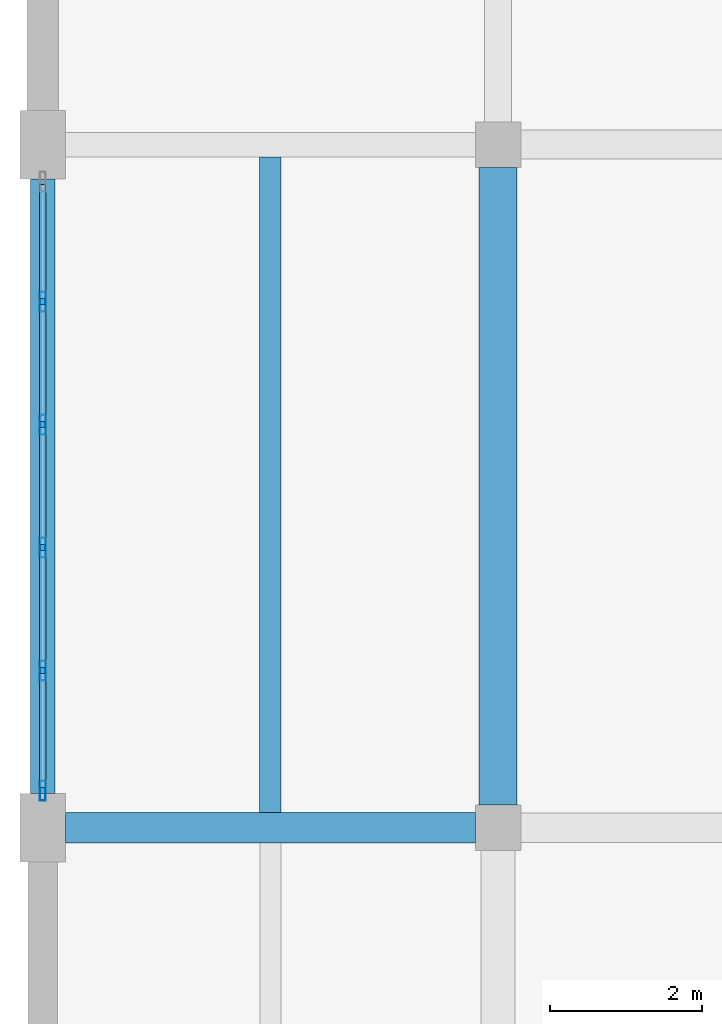
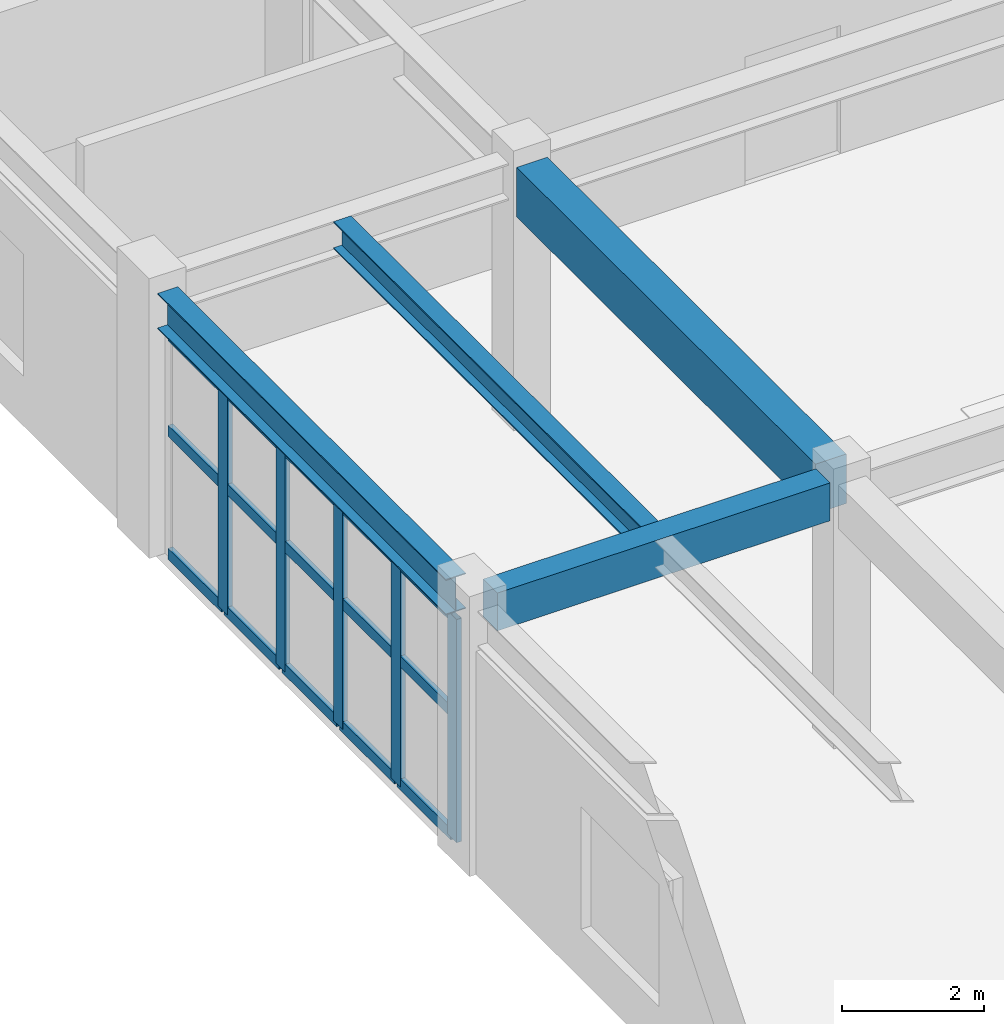
# One storey, part 11 of 80: 20 members, 4 beams, 1 element without a shape of its own.
"""IFC4 building model written with IfcOpenShell, lengths in metres."""

from ifc_helpers import new_model, si_unit, direction, frame, origin, origin_2d, place, context, subcontext, project, spatial, rectangle, hollow_rectangle, i_section, extrude, material, layer, layer_set, material_profile, profile_set, type_object, element, aggregate, save


model = new_model("IFC4")

# Units and contexts
model_context = context("Model", 3, precision=1e-05, world=origin(), true_north=direction((0.0, 1.0)))
body_context = subcontext(model_context, "Body", "Model", "MODEL_VIEW")
ifc_project = project(units=[si_unit("LENGTHUNIT", "METRE"), si_unit("AREAUNIT", "SQUARE_METRE"), si_unit("VOLUMEUNIT", "CUBIC_METRE"), si_unit("PLANEANGLEUNIT", "RADIAN"), si_unit("MASSUNIT", "GRAM", prefix="KILO")], contexts=[model_context])

# Site, building, storey
site_placement = place(None, origin())
site = spatial("IfcSite", under=ifc_project, at=site_placement, CompositionType="ELEMENT")
building_placement = place(site_placement, origin())
building = spatial("IfcBuilding", under=site, at=building_placement, Name="Vaelkrest Opera House", CompositionType="ELEMENT")
storey_placement = place(building_placement, frame((0.0, 0.0, 15.0)))
storey = spatial("IfcBuildingStorey", under=building, at=storey_placement, Name="L03", CompositionType="ELEMENT", Elevation=15.0)

# Beams
ifc_material_1 = material(Name="Concrete C50/60", Category="concrete")
ifc_material_profile_1 = material_profile(ifc_material_1, rectangle(XDim=0.39990234375, YDim=0.64990234375, at=origin_2d()), Name="RCB400X650")
ifc_profile_set_1 = profile_set([ifc_material_profile_1], Name="Concrete C50/60")
beam_type_1 = type_object("IfcBeamType", Name="B01", PredefinedType="BEAM", material=ifc_profile_set_1)
beam_1_placement = place(storey_placement, frame((-75.300048828125, -7.800048828125, 4.179931640625), z_axis=(1.0, 0.0, 0.0), x_axis=(0.0, 1.0, 0.0)))
element("IfcBeam", 1, at=beam_1_placement, inside=storey, type_object=beam_type_1, Name="Beam BM-V3-L03-1741", PredefinedType="BEAM", context=body_context, shape_type="SweptSolid", body=[
    extrude(rectangle(XDim=0.39990234375, YDim=0.64990234375, at=origin_2d()), origin(), (0.0, 0.0, 1.0), 5.400146484375),
])
ifc_material_profile_2 = material_profile(ifc_material_1, rectangle(XDim=0.5, YDim=0.85009765625, at=origin_2d()), Name="RCB500X850")
ifc_profile_set_2 = profile_set([ifc_material_profile_2], Name="Concrete C50/60")
beam_type_2 = type_object("IfcBeamType", Name="B03", PredefinedType="BEAM", material=ifc_profile_set_2)
beam_2_placement = place(storey_placement, frame((-69.60009765625, -7.5, 4.080078125), z_axis=(0.0, 1.0, 0.0), x_axis=(-1.0, 0.0, 0.0)))
element("IfcBeam", 2, at=beam_2_placement, inside=storey, type_object=beam_type_2, Name="Beam BM-V3-L03-1768", PredefinedType="BEAM", context=body_context, shape_type="SweptSolid", body=[
    extrude(rectangle(XDim=0.5, YDim=0.85009765625, at=origin_2d()), origin(), (0.0, 0.0, 1.0), 8.39990234375),
])

# Curtain wall, members
ifc_material_2 = material(Name="Dark bronze anodized aluminium", Category="aluminium")
ifc_layer = layer(ifc_material_2, 0.2099609375)
ifc_layer_set = layer_set([ifc_layer], Name="Dark bronze anodized aluminium")
curtain_wall_type = type_object("IfcCurtainWallType", Name="CW04", PredefinedType="NOTDEFINED", material=ifc_layer_set)
curtain_wall_placement = place(storey_placement, origin())
curtain_wall = element("IfcCurtainWall", 3, at=curtain_wall_placement, inside=storey, type_object=curtain_wall_type, Name="Curtain wall CW-L03-129", PredefinedType="NOTDEFINED")
ifc_material_profile_3 = material_profile(ifc_material_2, hollow_rectangle(XDim=0.080078125, YDim=0.260009765625, WallThickness=0.0048828125, at=origin_2d()), Name="CWM80X260")
ifc_profile_set_3 = profile_set([ifc_material_profile_3], Name="Dark bronze anodized aluminium")
member_type_1 = type_object("IfcMemberType", Name="CWM04", PredefinedType="MULLION", material=ifc_profile_set_3)
member_1_placement = place(storey_placement, frame((-75.60009765625, -7.31201171875, 0.0), z_axis=(0.0, 0.0, 1.0), x_axis=(-1.0, 0.0, 0.0)))
member_1 = element("IfcMember", 4, at=member_1_placement, type_object=member_type_1, Name="CW04 mullion 1", PredefinedType="MULLION", context=body_context, shape_type="SweptSolid", body=[
    extrude(hollow_rectangle(XDim=0.080078125, YDim=0.260009765625, WallThickness=0.0048828125, at=origin_2d()), origin(), (0.0, 0.0, 1.0), 3.8291015625),
])
member_2_placement = place(storey_placement, frame((-75.60009765625, -5.731201171875, 0.0), z_axis=(0.0, 0.0, 1.0), x_axis=(-1.0, 0.0, 0.0)))
member_2 = element("IfcMember", 5, at=member_2_placement, type_object=member_type_1, Name="CW04 mullion 2", PredefinedType="MULLION", context=body_context, shape_type="SweptSolid", body=[
    extrude(hollow_rectangle(XDim=0.080078125, YDim=0.260009765625, WallThickness=0.0048828125, at=origin_2d()), origin(), (0.0, 0.0, 1.0), 3.8291015625),
])
member_3_placement = place(storey_placement, frame((-75.60009765625, -4.1103515625, 0.0), z_axis=(0.0, 0.0, 1.0), x_axis=(-1.0, 0.0, 0.0)))
member_3 = element("IfcMember", 6, at=member_3_placement, type_object=member_type_1, Name="CW04 mullion 3", PredefinedType="MULLION", context=body_context, shape_type="SweptSolid", body=[
    extrude(hollow_rectangle(XDim=0.080078125, YDim=0.260009765625, WallThickness=0.0048828125, at=origin_2d()), origin(), (0.0, 0.0, 1.0), 3.8291015625),
])
member_4_placement = place(storey_placement, frame((-75.60009765625, -2.489501953125, 0.0), z_axis=(0.0, 0.0, 1.0), x_axis=(-1.0, 0.0, 0.0)))
member_4 = element("IfcMember", 7, at=member_4_placement, type_object=member_type_1, Name="CW04 mullion 4", PredefinedType="MULLION", context=body_context, shape_type="SweptSolid", body=[
    extrude(hollow_rectangle(XDim=0.080078125, YDim=0.260009765625, WallThickness=0.0048828125, at=origin_2d()), origin(), (0.0, 0.0, 1.0), 3.8291015625),
])
member_5_placement = place(storey_placement, frame((-75.60009765625, -0.868896484375, 0.0), z_axis=(0.0, 0.0, 1.0), x_axis=(-1.0, 0.0, 0.0)))
member_5 = element("IfcMember", 8, at=member_5_placement, type_object=member_type_1, Name="CW04 mullion 5", PredefinedType="MULLION", context=body_context, shape_type="SweptSolid", body=[
    extrude(hollow_rectangle(XDim=0.080078125, YDim=0.260009765625, WallThickness=0.0048828125, at=origin_2d()), origin(), (0.0, 0.0, 1.0), 3.8291015625),
])
ifc_material_profile_4 = material_profile(ifc_material_2, hollow_rectangle(XDim=0.080078125, YDim=0.18994140625, WallThickness=0.0048828125, at=origin_2d()), Name="CWT80X190")
ifc_profile_set_4 = profile_set([ifc_material_profile_4], Name="Dark bronze anodized aluminium")
member_type_2 = type_object("IfcMemberType", Name="CWT04", PredefinedType="USERDEFINED", material=ifc_profile_set_4)
member_6_placement = place(storey_placement, frame((-75.60009765625, -7.27197265625, 0.0400390625), z_axis=(0.0, 1.0, 0.0), x_axis=(-1.0, 0.0, 0.0)))
member_6 = element("IfcMember", 9, at=member_6_placement, type_object=member_type_2, Name="CW04 transom 1.1", ObjectType="TRANSOM", PredefinedType="USERDEFINED", context=body_context, shape_type="SweptSolid", body=[
    extrude(hollow_rectangle(XDim=0.080078125, YDim=0.18994140625, WallThickness=0.0048828125, at=origin_2d()), origin(), (0.0, 0.0, 1.0), 1.500732421875),
])
member_7_placement = place(storey_placement, frame((-75.60009765625, -7.27197265625, 2.14990234375), z_axis=(0.0, 1.0, 0.0), x_axis=(-1.0, 0.0, 0.0)))
member_7 = element("IfcMember", 10, at=member_7_placement, type_object=member_type_2, Name="CW04 transom 1.2", ObjectType="TRANSOM", PredefinedType="USERDEFINED", context=body_context, shape_type="SweptSolid", body=[
    extrude(hollow_rectangle(XDim=0.080078125, YDim=0.18994140625, WallThickness=0.0048828125, at=origin_2d()), origin(), (0.0, 0.0, 1.0), 1.500732421875),
])
member_8_placement = place(storey_placement, frame((-75.60009765625, -7.27197265625, 3.7890625), z_axis=(0.0, 1.0, 0.0), x_axis=(-1.0, 0.0, 0.0)))
member_8 = element("IfcMember", 11, at=member_8_placement, type_object=member_type_2, Name="CW04 transom 1.3", ObjectType="TRANSOM", PredefinedType="USERDEFINED", context=body_context, shape_type="SweptSolid", body=[
    extrude(hollow_rectangle(XDim=0.080078125, YDim=0.18994140625, WallThickness=0.0048828125, at=origin_2d()), origin(), (0.0, 0.0, 1.0), 1.500732421875),
])
member_9_placement = place(storey_placement, frame((-75.60009765625, -5.691162109375, 0.0400390625), z_axis=(0.0, 1.0, 0.0), x_axis=(-1.0, 0.0, 0.0)))
member_9 = element("IfcMember", 12, at=member_9_placement, type_object=member_type_2, Name="CW04 transom 2.1", ObjectType="TRANSOM", PredefinedType="USERDEFINED", context=body_context, shape_type="SweptSolid", body=[
    extrude(hollow_rectangle(XDim=0.080078125, YDim=0.18994140625, WallThickness=0.0048828125, at=origin_2d()), origin(), (0.0, 0.0, 1.0), 1.540771484375),
])
member_10_placement = place(storey_placement, frame((-75.60009765625, -5.691162109375, 2.14990234375), z_axis=(0.0, 1.0, 0.0), x_axis=(-1.0, 0.0, 0.0)))
member_10 = element("IfcMember", 13, at=member_10_placement, type_object=member_type_2, Name="CW04 transom 2.2", ObjectType="TRANSOM", PredefinedType="USERDEFINED", context=body_context, shape_type="SweptSolid", body=[
    extrude(hollow_rectangle(XDim=0.080078125, YDim=0.18994140625, WallThickness=0.0048828125, at=origin_2d()), origin(), (0.0, 0.0, 1.0), 1.540771484375),
])
member_11_placement = place(storey_placement, frame((-75.60009765625, -5.691162109375, 3.7890625), z_axis=(0.0, 1.0, 0.0), x_axis=(-1.0, 0.0, 0.0)))
member_11 = element("IfcMember", 14, at=member_11_placement, type_object=member_type_2, Name="CW04 transom 2.3", ObjectType="TRANSOM", PredefinedType="USERDEFINED", context=body_context, shape_type="SweptSolid", body=[
    extrude(hollow_rectangle(XDim=0.080078125, YDim=0.18994140625, WallThickness=0.0048828125, at=origin_2d()), origin(), (0.0, 0.0, 1.0), 1.540771484375),
])
member_12_placement = place(storey_placement, frame((-75.60009765625, -4.0703125, 0.0400390625), z_axis=(0.0, 1.0, 0.0), x_axis=(-1.0, 0.0, 0.0)))
member_12 = element("IfcMember", 15, at=member_12_placement, type_object=member_type_2, Name="CW04 transom 3.1", ObjectType="TRANSOM", PredefinedType="USERDEFINED", context=body_context, shape_type="SweptSolid", body=[
    extrude(hollow_rectangle(XDim=0.080078125, YDim=0.18994140625, WallThickness=0.0048828125, at=origin_2d()), origin(), (0.0, 0.0, 1.0), 1.540771484375),
])
member_13_placement = place(storey_placement, frame((-75.60009765625, -4.0703125, 2.14990234375), z_axis=(0.0, 1.0, 0.0), x_axis=(-1.0, 0.0, 0.0)))
member_13 = element("IfcMember", 16, at=member_13_placement, type_object=member_type_2, Name="CW04 transom 3.2", ObjectType="TRANSOM", PredefinedType="USERDEFINED", context=body_context, shape_type="SweptSolid", body=[
    extrude(hollow_rectangle(XDim=0.080078125, YDim=0.18994140625, WallThickness=0.0048828125, at=origin_2d()), origin(), (0.0, 0.0, 1.0), 1.540771484375),
])
member_14_placement = place(storey_placement, frame((-75.60009765625, -4.0703125, 3.7890625), z_axis=(0.0, 1.0, 0.0), x_axis=(-1.0, 0.0, 0.0)))
member_14 = element("IfcMember", 17, at=member_14_placement, type_object=member_type_2, Name="CW04 transom 3.3", ObjectType="TRANSOM", PredefinedType="USERDEFINED", context=body_context, shape_type="SweptSolid", body=[
    extrude(hollow_rectangle(XDim=0.080078125, YDim=0.18994140625, WallThickness=0.0048828125, at=origin_2d()), origin(), (0.0, 0.0, 1.0), 1.540771484375),
])
member_15_placement = place(storey_placement, frame((-75.60009765625, -2.44970703125, 0.0400390625), z_axis=(0.0, 1.0, 0.0), x_axis=(-1.0, 0.0, 0.0)))
member_15 = element("IfcMember", 18, at=member_15_placement, type_object=member_type_2, Name="CW04 transom 4.1", ObjectType="TRANSOM", PredefinedType="USERDEFINED", context=body_context, shape_type="SweptSolid", body=[
    extrude(hollow_rectangle(XDim=0.080078125, YDim=0.18994140625, WallThickness=0.0048828125, at=origin_2d()), origin(), (0.0, 0.0, 1.0), 1.541015625),
])
member_16_placement = place(storey_placement, frame((-75.60009765625, -2.44970703125, 2.14990234375), z_axis=(0.0, 1.0, 0.0), x_axis=(-1.0, 0.0, 0.0)))
member_16 = element("IfcMember", 19, at=member_16_placement, type_object=member_type_2, Name="CW04 transom 4.2", ObjectType="TRANSOM", PredefinedType="USERDEFINED", context=body_context, shape_type="SweptSolid", body=[
    extrude(hollow_rectangle(XDim=0.080078125, YDim=0.18994140625, WallThickness=0.0048828125, at=origin_2d()), origin(), (0.0, 0.0, 1.0), 1.541015625),
])
member_17_placement = place(storey_placement, frame((-75.60009765625, -2.44970703125, 3.7890625), z_axis=(0.0, 1.0, 0.0), x_axis=(-1.0, 0.0, 0.0)))
member_17 = element("IfcMember", 20, at=member_17_placement, type_object=member_type_2, Name="CW04 transom 4.3", ObjectType="TRANSOM", PredefinedType="USERDEFINED", context=body_context, shape_type="SweptSolid", body=[
    extrude(hollow_rectangle(XDim=0.080078125, YDim=0.18994140625, WallThickness=0.0048828125, at=origin_2d()), origin(), (0.0, 0.0, 1.0), 1.541015625),
])
member_18_placement = place(storey_placement, frame((-75.60009765625, -0.828857421875, 0.0400390625), z_axis=(0.0, 1.0, 0.0), x_axis=(-1.0, 0.0, 0.0)))
member_18 = element("IfcMember", 21, at=member_18_placement, type_object=member_type_2, Name="CW04 transom 5.1", ObjectType="TRANSOM", PredefinedType="USERDEFINED", context=body_context, shape_type="SweptSolid", body=[
    extrude(hollow_rectangle(XDim=0.080078125, YDim=0.18994140625, WallThickness=0.0048828125, at=origin_2d()), origin(), (0.0, 0.0, 1.0), 1.5009765625),
])
member_19_placement = place(storey_placement, frame((-75.60009765625, -0.828857421875, 2.14990234375), z_axis=(0.0, 1.0, 0.0), x_axis=(-1.0, 0.0, 0.0)))
member_19 = element("IfcMember", 22, at=member_19_placement, type_object=member_type_2, Name="CW04 transom 5.2", ObjectType="TRANSOM", PredefinedType="USERDEFINED", context=body_context, shape_type="SweptSolid", body=[
    extrude(hollow_rectangle(XDim=0.080078125, YDim=0.18994140625, WallThickness=0.0048828125, at=origin_2d()), origin(), (0.0, 0.0, 1.0), 1.5009765625),
])
member_20_placement = place(storey_placement, frame((-75.60009765625, -0.828857421875, 3.7890625), z_axis=(0.0, 1.0, 0.0), x_axis=(-1.0, 0.0, 0.0)))
member_20 = element("IfcMember", 23, at=member_20_placement, type_object=member_type_2, Name="CW04 transom 5.3", ObjectType="TRANSOM", PredefinedType="USERDEFINED", context=body_context, shape_type="SweptSolid", body=[
    extrude(hollow_rectangle(XDim=0.080078125, YDim=0.18994140625, WallThickness=0.0048828125, at=origin_2d()), origin(), (0.0, 0.0, 1.0), 1.5009765625),
])
aggregate(curtain_wall, [member_1, member_2, member_3, member_4, member_5, member_6, member_7, member_8, member_9, member_10, member_11, member_12, member_13, member_14, member_15, member_16, member_17, member_18, member_19, member_20])

# Beams
ifc_material_3 = material(Name="Steel A992 Gr50", Category="steel")
ifc_material_profile_5 = material_profile(ifc_material_3, i_section(OverallWidth=0.282958984375, OverallDepth=0.471923828125, WebThickness=0.013671875, FlangeThickness=0.022216796875, at=origin_2d()), Name="W18X97")
ifc_profile_set_5 = profile_set([ifc_material_profile_5], Name="Steel A992 Gr50")
beam_type_3 = type_object("IfcBeamType", Name="J10", PredefinedType="JOIST", material=ifc_profile_set_5)
beam_3_placement = place(storey_placement, frame((-72.60009765625, -7.60009765625, 4.26904296875), z_axis=(0.0, 1.0, 0.0), x_axis=(-1.0, 0.0, 0.0)))
element("IfcBeam", 24, at=beam_3_placement, inside=storey, type_object=beam_type_3, Name="Floor joist JST-V3-L03-1790", PredefinedType="JOIST", context=body_context, shape_type="SweptSolid", body=[
    extrude(i_section(OverallWidth=0.282958984375, OverallDepth=0.471923828125, WebThickness=0.013671875, FlangeThickness=0.022216796875, at=origin_2d()), origin(), (0.0, 0.0, 1.0), 8.635986328125),
])
ifc_material_profile_6 = material_profile(ifc_material_3, i_section(OverallWidth=0.323974609375, OverallDepth=0.611083984375, WebThickness=0.0126953125, FlangeThickness=0.01904296875, at=origin_2d()), Name="W24X104")
ifc_profile_set_6 = profile_set([ifc_material_profile_6], Name="Steel A992 Gr50")
beam_type_4 = type_object("IfcBeamType", Name="SP01", PredefinedType="SPANDREL", material=ifc_profile_set_6)
beam_4_placement = place(storey_placement, frame((-75.60009765625, -7.35009765625, 4.199462890625), z_axis=(0.0, 1.0, 0.0), x_axis=(-1.0, 0.0, 0.0)))
element("IfcBeam", 25, at=beam_4_placement, inside=storey, type_object=beam_type_4, Name="Beam BM-V3-L03-1764", PredefinedType="SPANDREL", context=body_context, shape_type="SweptSolid", body=[
    extrude(i_section(OverallWidth=0.323974609375, OverallDepth=0.611083984375, WebThickness=0.0126953125, FlangeThickness=0.01904296875, at=origin_2d()), origin(), (0.0, 0.0, 1.0), 8.10009765625),
])

save(model, "model.ifc")
